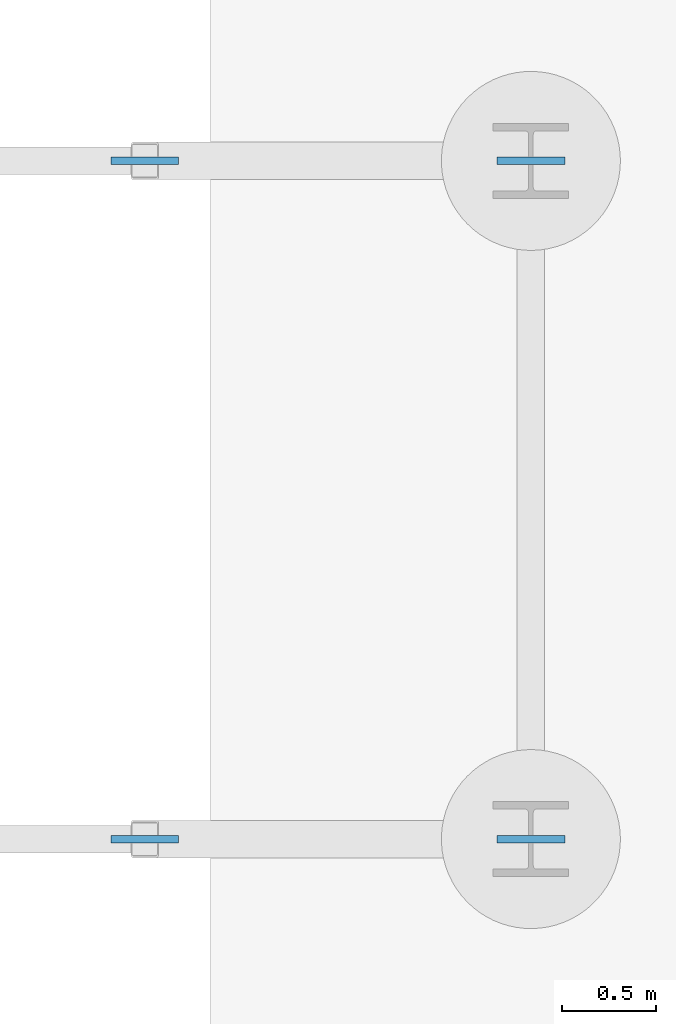
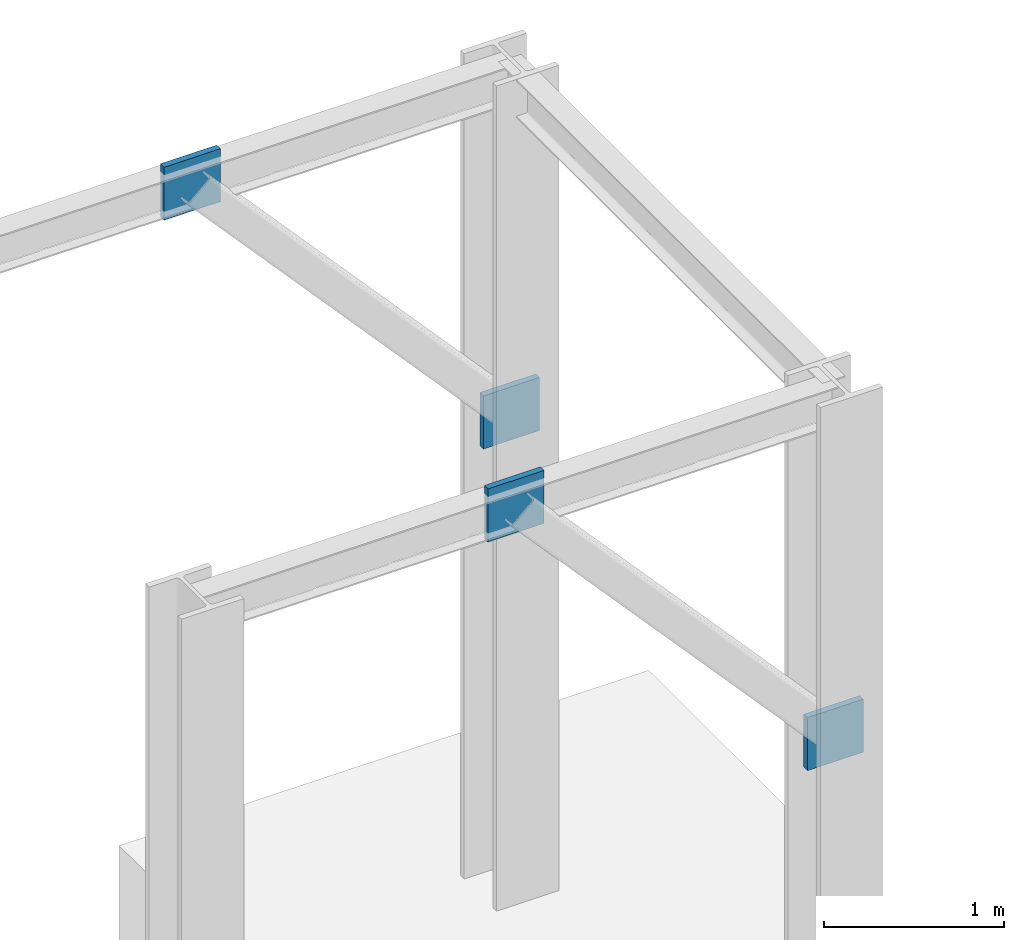
# One storey, part 20 of 28: 4 plates.
"""IFC4 building model written with IfcOpenShell, lengths in metres."""

from ifc_helpers import new_model, si_unit, direction, frame, origin, origin_2d, place, context, subcontext, project, spatial, rectangle, extrude, material, layer, layer_set, type_object, element, save


model = new_model("IFC4")

# Units and contexts
model_context = context("Model", 3, precision=1e-05, world=origin(), true_north=direction((0.0, 1.0)))
body_context = subcontext(model_context, "Body", "Model", "MODEL_VIEW")
ifc_project = project(units=[si_unit("LENGTHUNIT", "METRE"), si_unit("AREAUNIT", "SQUARE_METRE"), si_unit("VOLUMEUNIT", "CUBIC_METRE"), si_unit("PLANEANGLEUNIT", "RADIAN"), si_unit("MASSUNIT", "GRAM", prefix="KILO")], contexts=[model_context])

# Site, building, storey
site_placement = place(None, origin())
site = spatial("IfcSite", under=ifc_project, at=site_placement, CompositionType="ELEMENT")
building_placement = place(site_placement, origin())
building = spatial("IfcBuilding", under=site, at=building_placement, Name="Kazma Halo Residences", CompositionType="ELEMENT")
storey_placement = place(building_placement, origin())
storey = spatial("IfcBuildingStorey", under=building, at=storey_placement, Name="L00", CompositionType="ELEMENT", Elevation=0.0)

# Plates
ifc_material = material(Name="Steel S355", Category="steel")
ifc_layer = layer(ifc_material, 0.0400390625)
ifc_layer_set = layer_set([ifc_layer], Name="Steel S355")
plate_type = type_object("IfcPlateType", Name="PLT-GUSSET-40", PredefinedType="SHEET", material=ifc_layer_set)
for number, where, z_axis, x_axis, name in (
    (1, (93.800048828125, 40.199951171875, 2.6201171875), (0.0, 0.0, 1.0), (1.0, 0.0, 0.0), "Canopy strut lower gusset plate 2.1"),
    (2, (91.75, 40.199951171875, 4.89013671875), (0.0, 0.0, 1.0), (1.0, 0.0, 0.0), "Canopy strut upper gusset plate 2.1"),
    (3, (93.800048828125, 43.800048828125, 2.6201171875), (0.0, 0.0, 1.0), (1.0, 0.0, 0.0), "Canopy strut lower gusset plate 2.2"),
    (4, (91.75, 43.800048828125, 4.89013671875), (0.0, 0.0, 1.0), (1.0, 0.0, 0.0), "Canopy strut upper gusset plate 2.2"),
):
    element("IfcPlate", number, at=place(storey_placement, frame(where, z_axis=z_axis, x_axis=x_axis)), inside=storey, type_object=plate_type, Name=name, PredefinedType="SHEET", context=body_context, shape_type="SweptSolid", body=[
        extrude(rectangle(XDim=0.360107421875, YDim=0.0400390625, at=origin_2d()), origin(), (0.0, 0.0, 1.0), 0.360107421875),
    ])

save(model, "model.ifc")
